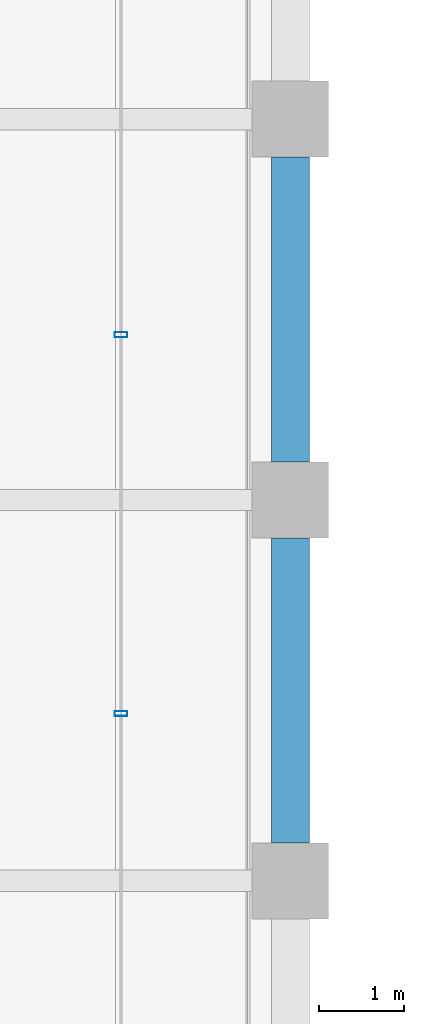
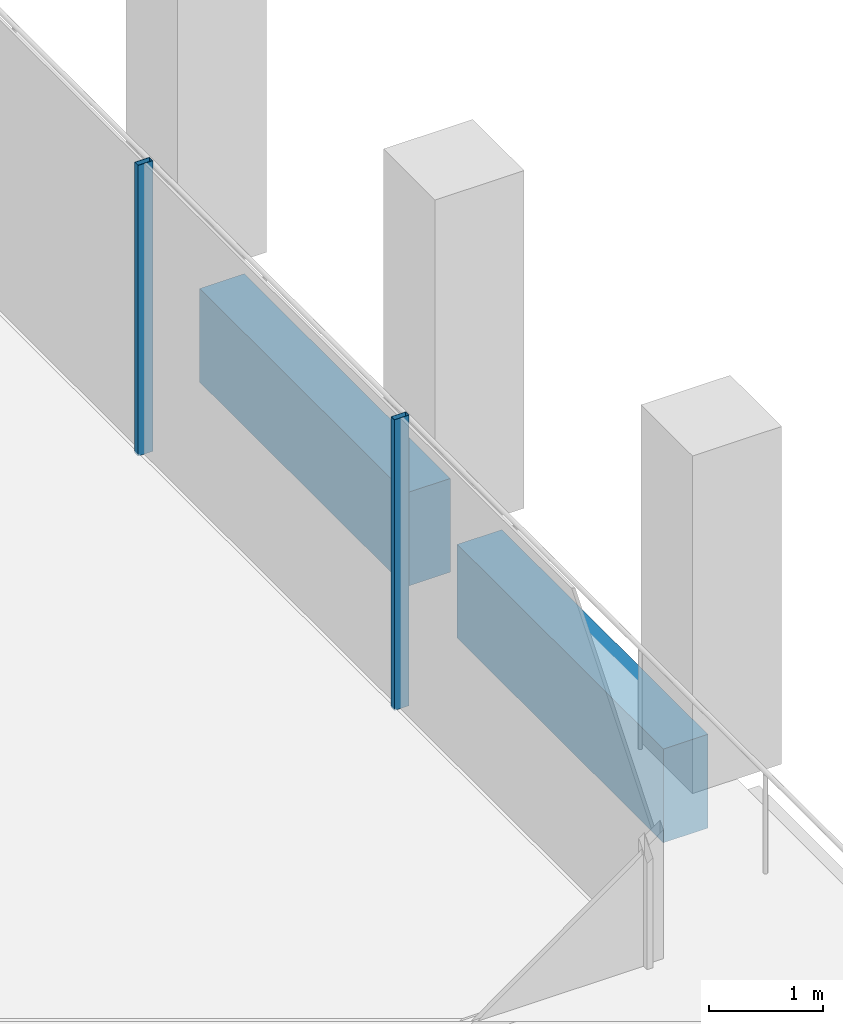
# One storey, part 15 of 40: 2 beams, 2 members, 1 element without a shape of its own.
"""IFC4 building model written with IfcOpenShell, lengths in metres."""

from ifc_helpers import new_model, si_unit, direction, frame, origin, origin_2d, place, context, subcontext, project, spatial, rectangle, hollow_rectangle, extrude, material, material_profile, profile_set, type_object, element, aggregate, save


model = new_model("IFC4")

# Units and contexts
model_context = context("Model", 3, precision=1e-05, world=origin(), true_north=direction((0.0, 1.0)))
body_context = subcontext(model_context, "Body", "Model", "MODEL_VIEW")
ifc_project = project(units=[si_unit("LENGTHUNIT", "METRE"), si_unit("AREAUNIT", "SQUARE_METRE"), si_unit("VOLUMEUNIT", "CUBIC_METRE"), si_unit("PLANEANGLEUNIT", "RADIAN"), si_unit("MASSUNIT", "GRAM", prefix="KILO")], contexts=[model_context])

# Site, building, storey
site_placement = place(None, origin())
site = spatial("IfcSite", under=ifc_project, at=site_placement, CompositionType="ELEMENT")
building_placement = place(site_placement, origin())
building = spatial("IfcBuilding", under=site, at=building_placement, Name="Altepetl Exchange Towers", CompositionType="ELEMENT")
storey_placement = place(building_placement, frame((0.0, 0.0, 169.0)))
storey = spatial("IfcBuildingStorey", under=building, at=storey_placement, Name="L42", CompositionType="ELEMENT", Elevation=169.0)

# Curtain wall, members
ifc_material_1 = material(Name="Aluminium 6063-T6 glazing", Category="aluminium")
curtain_wall_type = type_object("IfcCurtainWallType", Name="Loggia glazing system", PredefinedType="NOTDEFINED", material=ifc_material_1)
curtain_wall_placement = place(storey_placement, origin())
curtain_wall = element("IfcCurtainWall", 1, at=curtain_wall_placement, inside=storey, type_object=curtain_wall_type, Name="CW1 run", PredefinedType="NOTDEFINED")
ifc_material_2 = material(Name="Aluminium 6063-T6", Category="aluminium")
ifc_material_profile_1 = material_profile(ifc_material_2, hollow_rectangle(XDim=0.06005859375, YDim=0.14990234375, WallThickness=0.0029296875, at=origin_2d()), Name="Mullion 60x150 aluminium")
ifc_profile_set_1 = profile_set([ifc_material_profile_1], Name="Aluminium 6063-T6")
member_type = type_object("IfcMemberType", Name="Mullion 60x150 aluminium", PredefinedType="MULLION", material=ifc_profile_set_1)
member_1_placement = place(storey_placement, frame((70.0, 37.97607421875, 0.0), z_axis=(0.0, 0.0, 1.0), x_axis=(0.0, 1.0, 0.0)))
member_1 = element("IfcMember", 2, at=member_1_placement, type_object=member_type, Name="MU1 mullion", PredefinedType="MULLION", context=body_context, shape_type="SweptSolid", body=[
    extrude(hollow_rectangle(XDim=0.06005859375, YDim=0.14990234375, WallThickness=0.0029296875, at=origin_2d()), origin(), (0.0, 0.0, 1.0), 3.10009765625),
])
member_2_placement = place(storey_placement, frame((70.0, 42.451904296875, 0.0), z_axis=(0.0, 0.0, 1.0), x_axis=(0.0, 1.0, 0.0)))
member_2 = element("IfcMember", 3, at=member_2_placement, type_object=member_type, Name="MU1 mullion", PredefinedType="MULLION", context=body_context, shape_type="SweptSolid", body=[
    extrude(hollow_rectangle(XDim=0.06005859375, YDim=0.14990234375, WallThickness=0.0029296875, at=origin_2d()), origin(), (0.0, 0.0, 1.0), 3.10009765625),
])
aggregate(curtain_wall, [member_1, member_2])

# Beams
ifc_material_3 = material(Name="Concrete C50/60 precast with cantera amarilla facing", Category="concrete")
ifc_material_profile_2 = material_profile(ifc_material_3, rectangle(XDim=0.449951171875, YDim=1.0, at=origin_2d()), Name="450 x 1000")
ifc_profile_set_2 = profile_set([ifc_material_profile_2], Name="Concrete C50/60 precast with cantera amarilla facing")
beam_type = type_object("IfcBeamType", Name="Spandrel beam 450x1000 cantera amarilla", PredefinedType="SPANDREL", material=ifc_profile_set_2)
for number, where, z_axis, x_axis, name in (
    (4, (72.0, 36.449951171875, -0.64990234375), (0.0, 1.0, 0.0), (-1.0, 0.0, 0.0), "sp:A:L42:013"),
    (5, (72.0, 40.949951171875, -0.64990234375), (0.0, 1.0, 0.0), (-1.0, 0.0, 0.0), "sp:A:L42:014"),
):
    element("IfcBeam", number, at=place(storey_placement, frame(where, z_axis=z_axis, x_axis=x_axis)), inside=storey, type_object=beam_type, Name=name, PredefinedType="SPANDREL", context=body_context, shape_type="SweptSolid", body=[
        extrude(rectangle(XDim=0.449951171875, YDim=1.0, at=origin_2d()), origin(), (0.0, 0.0, 1.0), 3.60009765625),
    ])

save(model, "model.ifc")
